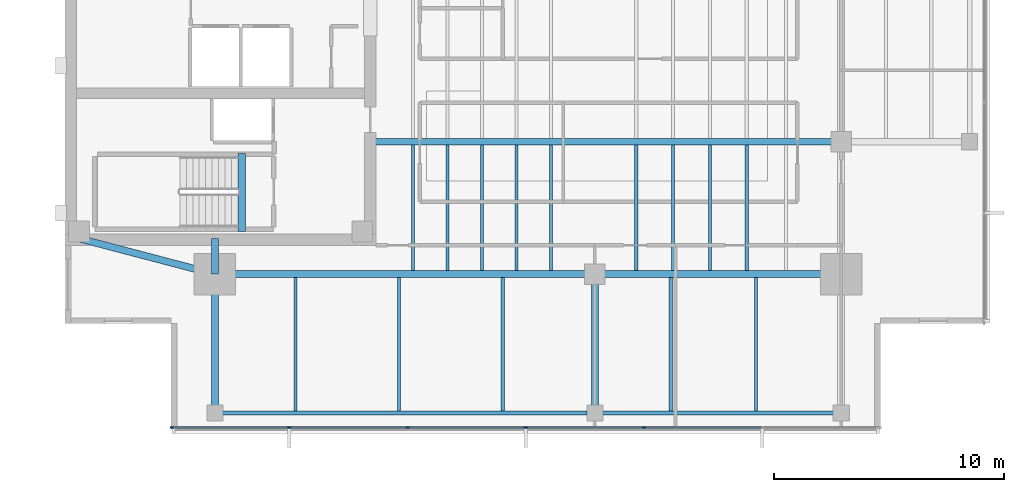
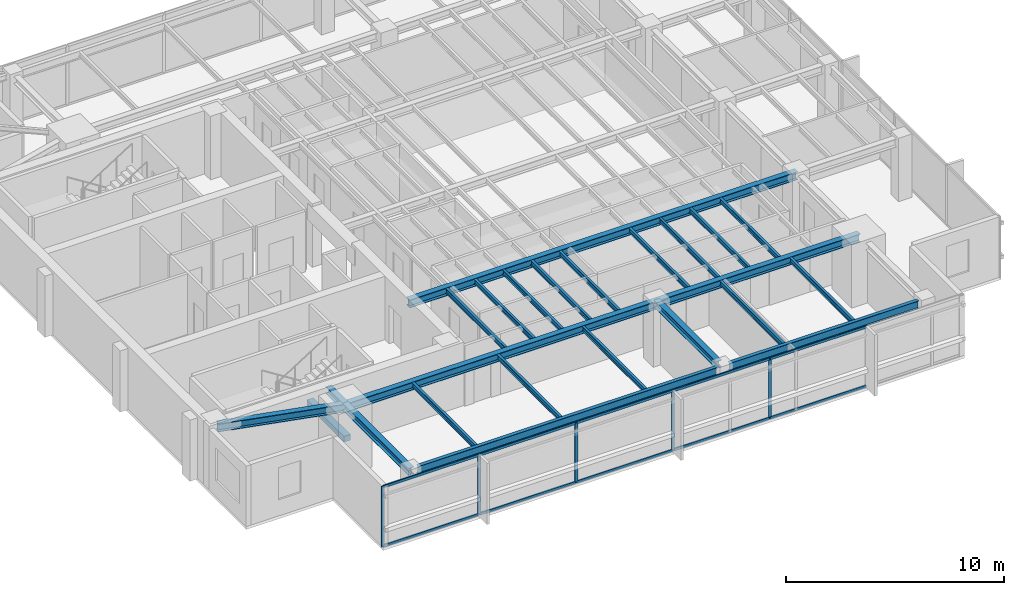
# One storey, part 2 of 14: 24 beams, 15 members, 1 element without a shape of its own.
"""IFC4 building model written with IfcOpenShell, lengths in metres."""

from ifc_helpers import new_model, si_unit, direction, frame, origin, origin_2d, place, context, subcontext, project, spatial, rectangle, i_section, extrude, material, layer, layer_set, material_profile, profile_set, type_object, element, aggregate, save


model = new_model("IFC4")

# Units and contexts
model_context = context("Model", 3, precision=1e-05, world=origin(), true_north=direction((0.0, 1.0)))
body_context = subcontext(model_context, "Body", "Model", "MODEL_VIEW")
ifc_project = project(units=[si_unit("LENGTHUNIT", "METRE"), si_unit("AREAUNIT", "SQUARE_METRE"), si_unit("VOLUMEUNIT", "CUBIC_METRE"), si_unit("PLANEANGLEUNIT", "RADIAN"), si_unit("MASSUNIT", "GRAM", prefix="KILO")], contexts=[model_context])

# Site, building, storey
site_placement = place(None, origin())
site = spatial("IfcSite", under=ifc_project, at=site_placement, CompositionType="ELEMENT")
building_placement = place(site_placement, origin())
building = spatial("IfcBuilding", under=site, at=building_placement, Name="Kinhvarn Gate Tower", CompositionType="ELEMENT")
storey_placement = place(building_placement, frame((0.0, 0.0, 277.64990234375)))
storey = spatial("IfcBuildingStorey", under=building, at=storey_placement, Name="L74", CompositionType="ELEMENT", Elevation=277.64990234375)

# Beam
ifc_material_1 = material(Name="Concrete C50/60", Category="concrete")
ifc_material_profile_1 = material_profile(ifc_material_1, rectangle(XDim=0.340087890625, YDim=0.320068359375, at=origin_2d()), Name="RC 340x320")
ifc_profile_set_1 = profile_set([ifc_material_profile_1], Name="Concrete C50/60")
beam_type_1 = type_object("IfcBeamType", Name="BM-LND-500", PredefinedType="BEAM", material=ifc_profile_set_1)
beam_1_placement = place(storey_placement, frame((12.1650390625, 14.60009765625, -0.159912109375), z_axis=(0.0, 1.0, 0.0), x_axis=(-1.0, 0.0, 0.0)))
element("IfcBeam", 1, at=beam_1_placement, inside=storey, type_object=beam_type_1, Name="Stair ST1 Landing Nosing Beam (L74)", PredefinedType="BEAM", context=body_context, shape_type="SweptSolid", body=[
    extrude(rectangle(XDim=0.340087890625, YDim=0.320068359375, at=origin_2d()), origin(), (0.0, 0.0, 1.0), 3.39990234375),
])

# Curtain wall, members
ifc_material_2 = material(Name="Anodised aluminium AW-6063", Category="aluminium")
ifc_layer = layer(ifc_material_2, 0.179931640625)
ifc_layer_set = layer_set([ifc_layer], Name="Anodised aluminium AW-6063")
curtain_wall_type = type_object("IfcCurtainWallType", Name="CW-SYS-3", PredefinedType="NOTDEFINED", material=ifc_layer_set)
curtain_wall_placement = place(storey_placement, origin())
curtain_wall = element("IfcCurtainWall", 2, at=curtain_wall_placement, inside=storey, type_object=curtain_wall_type, Name="Curtain Wall CW3 (L74)", PredefinedType="NOTDEFINED")
ifc_material_profile_2 = material_profile(ifc_material_2, rectangle(XDim=0.06494140625, YDim=0.159912109375, at=origin_2d()), Name="ALU 65x160")
ifc_profile_set_2 = profile_set([ifc_material_profile_2], Name="Anodised aluminium AW-6063")
member_type_1 = type_object("IfcMemberType", Name="CW-MUL-160", PredefinedType="MULLION", material=ifc_profile_set_2)
member_1_placement = place(storey_placement, frame((9.132568359375, 6.090087890625, 0.0), z_axis=(0.0, 0.0, 1.0), x_axis=(0.0, 1.0, 0.0)))
member_1 = element("IfcMember", 3, at=member_1_placement, type_object=member_type_1, Name="CW3 mullion 1", PredefinedType="MULLION", context=body_context, shape_type="SweptSolid", body=[
    extrude(rectangle(XDim=0.06494140625, YDim=0.159912109375, at=origin_2d()), origin(), (0.0, 0.0, 1.0), 3.39013671875),
])
member_2_placement = place(storey_placement, frame((14.2333984375, 6.090087890625, 0.0), z_axis=(0.0, 0.0, 1.0), x_axis=(0.0, 1.0, 0.0)))
member_2 = element("IfcMember", 4, at=member_2_placement, type_object=member_type_1, Name="CW3 mullion 2", PredefinedType="MULLION", context=body_context, shape_type="SweptSolid", body=[
    extrude(rectangle(XDim=0.06494140625, YDim=0.159912109375, at=origin_2d()), origin(), (0.0, 0.0, 1.0), 3.39013671875),
])
member_3_placement = place(storey_placement, frame((19.36669921875, 6.090087890625, 0.0), z_axis=(0.0, 0.0, 1.0), x_axis=(0.0, 1.0, 0.0)))
member_3 = element("IfcMember", 5, at=member_3_placement, type_object=member_type_1, Name="CW3 mullion 3", PredefinedType="MULLION", context=body_context, shape_type="SweptSolid", body=[
    extrude(rectangle(XDim=0.06494140625, YDim=0.159912109375, at=origin_2d()), origin(), (0.0, 0.0, 1.0), 3.39013671875),
])
member_4_placement = place(storey_placement, frame((24.5, 6.090087890625, 0.0), z_axis=(0.0, 0.0, 1.0), x_axis=(0.0, 1.0, 0.0)))
member_4 = element("IfcMember", 6, at=member_4_placement, type_object=member_type_1, Name="CW3 mullion 4", PredefinedType="MULLION", context=body_context, shape_type="SweptSolid", body=[
    extrude(rectangle(XDim=0.06494140625, YDim=0.159912109375, at=origin_2d()), origin(), (0.0, 0.0, 1.0), 3.39013671875),
])
member_5_placement = place(storey_placement, frame((29.63330078125, 6.090087890625, 0.0), z_axis=(0.0, 0.0, 1.0), x_axis=(0.0, 1.0, 0.0)))
member_5 = element("IfcMember", 7, at=member_5_placement, type_object=member_type_1, Name="CW3 mullion 5", PredefinedType="MULLION", context=body_context, shape_type="SweptSolid", body=[
    extrude(rectangle(XDim=0.06494140625, YDim=0.159912109375, at=origin_2d()), origin(), (0.0, 0.0, 1.0), 3.39013671875),
])
ifc_material_profile_3 = material_profile(ifc_material_2, rectangle(XDim=0.070068359375, YDim=0.139892578125, at=origin_2d()), Name="ALU 70x140")
ifc_profile_set_3 = profile_set([ifc_material_profile_3], Name="Anodised aluminium AW-6063")
member_type_2 = type_object("IfcMemberType", Name="CW-TRN-140", PredefinedType="USERDEFINED", material=ifc_profile_set_3)
member_6_placement = place(storey_placement, frame((9.1650390625, 6.090087890625, 0.03515625), z_axis=(1.0, 0.0, 0.0), x_axis=(0.0, 1.0, 0.0)))
member_6 = element("IfcMember", 8, at=member_6_placement, type_object=member_type_2, Name="CW3 transom 1.1", ObjectType="TRANSOM", PredefinedType="USERDEFINED", context=body_context, shape_type="SweptSolid", body=[
    extrude(rectangle(XDim=0.070068359375, YDim=0.139892578125, at=origin_2d()), origin(), (0.0, 0.0, 1.0), 5.035888671875),
])
member_7_placement = place(storey_placement, frame((9.1650390625, 6.090087890625, 3.35498046875), z_axis=(1.0, 0.0, 0.0), x_axis=(0.0, 1.0, 0.0)))
member_7 = element("IfcMember", 9, at=member_7_placement, type_object=member_type_2, Name="CW3 transom 1.2", ObjectType="TRANSOM", PredefinedType="USERDEFINED", context=body_context, shape_type="SweptSolid", body=[
    extrude(rectangle(XDim=0.070068359375, YDim=0.139892578125, at=origin_2d()), origin(), (0.0, 0.0, 1.0), 5.035888671875),
])
member_8_placement = place(storey_placement, frame((14.265869140625, 6.090087890625, 0.03515625), z_axis=(1.0, 0.0, 0.0), x_axis=(0.0, 1.0, 0.0)))
member_8 = element("IfcMember", 10, at=member_8_placement, type_object=member_type_2, Name="CW3 transom 2.1", ObjectType="TRANSOM", PredefinedType="USERDEFINED", context=body_context, shape_type="SweptSolid", body=[
    extrude(rectangle(XDim=0.070068359375, YDim=0.139892578125, at=origin_2d()), origin(), (0.0, 0.0, 1.0), 5.068359375),
])
member_9_placement = place(storey_placement, frame((14.265869140625, 6.090087890625, 3.35498046875), z_axis=(1.0, 0.0, 0.0), x_axis=(0.0, 1.0, 0.0)))
member_9 = element("IfcMember", 11, at=member_9_placement, type_object=member_type_2, Name="CW3 transom 2.2", ObjectType="TRANSOM", PredefinedType="USERDEFINED", context=body_context, shape_type="SweptSolid", body=[
    extrude(rectangle(XDim=0.070068359375, YDim=0.139892578125, at=origin_2d()), origin(), (0.0, 0.0, 1.0), 5.068359375),
])
member_10_placement = place(storey_placement, frame((19.399169921875, 6.090087890625, 0.03515625), z_axis=(1.0, 0.0, 0.0), x_axis=(0.0, 1.0, 0.0)))
member_10 = element("IfcMember", 12, at=member_10_placement, type_object=member_type_2, Name="CW3 transom 3.1", ObjectType="TRANSOM", PredefinedType="USERDEFINED", context=body_context, shape_type="SweptSolid", body=[
    extrude(rectangle(XDim=0.070068359375, YDim=0.139892578125, at=origin_2d()), origin(), (0.0, 0.0, 1.0), 5.068359375),
])
member_11_placement = place(storey_placement, frame((19.399169921875, 6.090087890625, 3.35498046875), z_axis=(1.0, 0.0, 0.0), x_axis=(0.0, 1.0, 0.0)))
member_11 = element("IfcMember", 13, at=member_11_placement, type_object=member_type_2, Name="CW3 transom 3.2", ObjectType="TRANSOM", PredefinedType="USERDEFINED", context=body_context, shape_type="SweptSolid", body=[
    extrude(rectangle(XDim=0.070068359375, YDim=0.139892578125, at=origin_2d()), origin(), (0.0, 0.0, 1.0), 5.068359375),
])
member_12_placement = place(storey_placement, frame((24.532470703125, 6.090087890625, 0.03515625), z_axis=(1.0, 0.0, 0.0), x_axis=(0.0, 1.0, 0.0)))
member_12 = element("IfcMember", 14, at=member_12_placement, type_object=member_type_2, Name="CW3 transom 4.1", ObjectType="TRANSOM", PredefinedType="USERDEFINED", context=body_context, shape_type="SweptSolid", body=[
    extrude(rectangle(XDim=0.070068359375, YDim=0.139892578125, at=origin_2d()), origin(), (0.0, 0.0, 1.0), 5.068359375),
])
member_13_placement = place(storey_placement, frame((24.532470703125, 6.090087890625, 3.35498046875), z_axis=(1.0, 0.0, 0.0), x_axis=(0.0, 1.0, 0.0)))
member_13 = element("IfcMember", 15, at=member_13_placement, type_object=member_type_2, Name="CW3 transom 4.2", ObjectType="TRANSOM", PredefinedType="USERDEFINED", context=body_context, shape_type="SweptSolid", body=[
    extrude(rectangle(XDim=0.070068359375, YDim=0.139892578125, at=origin_2d()), origin(), (0.0, 0.0, 1.0), 5.068359375),
])
member_14_placement = place(storey_placement, frame((29.665771484375, 6.090087890625, 0.03515625), z_axis=(1.0, 0.0, 0.0), x_axis=(0.0, 1.0, 0.0)))
member_14 = element("IfcMember", 16, at=member_14_placement, type_object=member_type_2, Name="CW3 transom 5.1", ObjectType="TRANSOM", PredefinedType="USERDEFINED", context=body_context, shape_type="SweptSolid", body=[
    extrude(rectangle(XDim=0.070068359375, YDim=0.139892578125, at=origin_2d()), origin(), (0.0, 0.0, 1.0), 5.068359375),
])
member_15_placement = place(storey_placement, frame((29.665771484375, 6.090087890625, 3.35498046875), z_axis=(1.0, 0.0, 0.0), x_axis=(0.0, 1.0, 0.0)))
member_15 = element("IfcMember", 17, at=member_15_placement, type_object=member_type_2, Name="CW3 transom 5.2", ObjectType="TRANSOM", PredefinedType="USERDEFINED", context=body_context, shape_type="SweptSolid", body=[
    extrude(rectangle(XDim=0.070068359375, YDim=0.139892578125, at=origin_2d()), origin(), (0.0, 0.0, 1.0), 5.068359375),
])
aggregate(curtain_wall, [member_1, member_2, member_3, member_4, member_5, member_6, member_7, member_8, member_9, member_10, member_11, member_12, member_13, member_14, member_15])

# Beams
ifc_material_3 = material(Name="Steel S355", Category="steel")
ifc_material_profile_4 = material_profile(ifc_material_3, i_section(OverallWidth=0.300048828125, OverallDepth=0.39990234375, WebThickness=0.013427734375, FlangeThickness=0.02392578125, at=origin_2d()), Name="HEB 400")
ifc_profile_set_4 = profile_set([ifc_material_profile_4], Name="Steel S355")
beam_type_2 = type_object("IfcBeamType", Name="STL-HEB400", PredefinedType="BEAM", material=ifc_profile_set_4)
beam_2_placement = place(storey_placement, frame((11.0, 6.719970703125, 3.190185546875), z_axis=(0.0, 1.0, 0.0), x_axis=(-1.0, 0.0, 0.0)))
element("IfcBeam", 18, at=beam_2_placement, inside=storey, type_object=beam_type_2, Name="Floor Beam PG-12 (L74 MCW-S)", PredefinedType="BEAM", context=body_context, shape_type="SweptSolid", body=[
    extrude(i_section(OverallWidth=0.300048828125, OverallDepth=0.39990234375, WebThickness=0.013427734375, FlangeThickness=0.02392578125, at=origin_2d()), origin(), (0.0, 0.0, 1.0), 6.030029296875),
])
beam_3_placement = place(storey_placement, frame((11.0, 12.75, 3.190185546875), z_axis=(0.0, 1.0, 0.0), x_axis=(-1.0, 0.0, 0.0)))
element("IfcBeam", 19, at=beam_3_placement, inside=storey, type_object=beam_type_2, Name="Floor Beam PG-12 (L74 MCW-CS)", PredefinedType="BEAM", context=body_context, shape_type="SweptSolid", body=[
    extrude(i_section(OverallWidth=0.300048828125, OverallDepth=0.39990234375, WebThickness=0.013427734375, FlangeThickness=0.02392578125, at=origin_2d()), origin(), (0.0, 0.0, 1.0), 1.550048828125),
])
beam_4_placement = place(storey_placement, frame((27.5, 7.054931640625, 3.190185546875), z_axis=(0.0, 1.0, 0.0), x_axis=(-1.0, 0.0, 0.0)))
element("IfcBeam", 20, at=beam_4_placement, inside=storey, type_object=beam_type_2, Name="Floor Beam PG-12 (L74 SP27-S-TIE)", PredefinedType="BEAM", context=body_context, shape_type="SweptSolid", body=[
    extrude(i_section(OverallWidth=0.300048828125, OverallDepth=0.39990234375, WebThickness=0.013427734375, FlangeThickness=0.02392578125, at=origin_2d()), origin(), (0.0, 0.0, 1.0), 5.695068359375),
])
ifc_material_profile_5 = material_profile(ifc_material_3, i_section(OverallWidth=0.300048828125, OverallDepth=0.449951171875, WebThickness=0.013916015625, FlangeThickness=0.02587890625, at=origin_2d()), Name="HEB 450")
ifc_profile_set_5 = profile_set([ifc_material_profile_5], Name="Steel S355")
beam_type_3 = type_object("IfcBeamType", Name="STL-HEB450", PredefinedType="BEAM", material=ifc_profile_set_5)
beam_5_placement = place(storey_placement, frame((11.0, 12.75, 3.1650390625), z_axis=(1.0, 0.0, 0.0), x_axis=(0.0, 1.0, 0.0)))
element("IfcBeam", 21, at=beam_5_placement, inside=storey, type_object=beam_type_3, Name="Floor Beam PG-13 (L74 MG-S1)", PredefinedType="BEAM", context=body_context, shape_type="SweptSolid", body=[
    extrude(i_section(OverallWidth=0.300048828125, OverallDepth=0.449951171875, WebThickness=0.013916015625, FlangeThickness=0.02587890625, at=origin_2d()), origin(), (0.0, 0.0, 1.0), 16.5),
])
beam_6_placement = place(storey_placement, frame((27.5, 12.75, 3.1650390625), z_axis=(1.0, 0.0, 0.0), x_axis=(0.0, 1.0, 0.0)))
element("IfcBeam", 22, at=beam_6_placement, inside=storey, type_object=beam_type_3, Name="Floor Beam PG-13 (L74 MG-S2)", PredefinedType="BEAM", context=body_context, shape_type="SweptSolid", body=[
    extrude(i_section(OverallWidth=0.300048828125, OverallDepth=0.449951171875, WebThickness=0.013916015625, FlangeThickness=0.02587890625, at=origin_2d()), origin(), (0.0, 0.0, 1.0), 10.699951171875),
])
beam_7_placement = place(storey_placement, frame((5.10009765625, 14.300048828125, 3.1650390625), z_axis=(0.967177623957, -0.254101246979, 0.0), x_axis=(0.254101246979, 0.967177623957, 0.0)))
element("IfcBeam", 23, at=beam_7_placement, inside=storey, type_object=beam_type_3, Name="Floor Beam PG-13 (L74 MG-SW-DIAG)", PredefinedType="BEAM", context=body_context, shape_type="SweptSolid", body=[
    extrude(i_section(OverallWidth=0.300048828125, OverallDepth=0.449951171875, WebThickness=0.013916015625, FlangeThickness=0.02587890625, at=origin_2d()), origin(), (0.0, 0.0, 1.0), 6.10009765625),
])
beam_8_placement = place(storey_placement, frame((17.64990234375, 18.5, 3.1650390625), z_axis=(1.0, 0.0, 0.0), x_axis=(0.0, 1.0, 0.0)))
element("IfcBeam", 24, at=beam_8_placement, inside=storey, type_object=beam_type_3, Name="Floor Beam PG-13 (L74 EW1-Y18)", PredefinedType="BEAM", context=body_context, shape_type="SweptSolid", body=[
    extrude(i_section(OverallWidth=0.300048828125, OverallDepth=0.449951171875, WebThickness=0.013916015625, FlangeThickness=0.02587890625, at=origin_2d()), origin(), (0.0, 0.0, 1.0), 20.550048828125),
])
ifc_material_profile_6 = material_profile(ifc_material_3, i_section(OverallWidth=0.135009765625, OverallDepth=0.27001953125, WebThickness=0.006591796875, FlangeThickness=0.01025390625, at=origin_2d()), Name="IPE 270")
ifc_profile_set_6 = profile_set([ifc_material_profile_6], Name="Steel S355")
beam_type_4 = type_object("IfcBeamType", Name="STL-IPE270", PredefinedType="JOIST", material=ifc_profile_set_6)
for number, where, z_axis, x_axis, name in (
    (25, (19.60009765625, 12.89990234375, 3.255126953125), (0.0, 1.0, 0.0), (-1.0, 0.0, 0.0), "Floor Joist SB-01 (L74 JC-X196-0)"),
    (26, (21.10009765625, 12.89990234375, 3.255126953125), (0.0, 1.0, 0.0), (-1.0, 0.0, 0.0), "Floor Joist SB-01 (L74 JC-X211-0)"),
    (27, (22.60009765625, 12.89990234375, 3.255126953125), (0.0, 1.0, 0.0), (-1.0, 0.0, 0.0), "Floor Joist SB-01 (L74 JC-X226-0)"),
    (28, (24.10009765625, 12.89990234375, 3.255126953125), (0.0, 1.0, 0.0), (-1.0, 0.0, 0.0), "Floor Joist SB-01 (L74 JC-X241-0)"),
    (29, (25.60009765625, 12.89990234375, 3.255126953125), (0.0, 1.0, 0.0), (-1.0, 0.0, 0.0), "Floor Joist SB-01 (L74 JC-X256-0)"),
    (30, (29.300048828125, 12.89990234375, 3.255126953125), (0.0, 1.0, 0.0), (-1.0, 0.0, 0.0), "Floor Joist SB-01 (L74 JC-X293-0)"),
    (31, (30.89990234375, 12.89990234375, 3.255126953125), (0.0, 1.0, 0.0), (-1.0, 0.0, 0.0), "Floor Joist SB-01 (L74 JC-X309-0)"),
    (32, (32.5, 12.89990234375, 3.255126953125), (0.0, 1.0, 0.0), (-1.0, 0.0, 0.0), "Floor Joist SB-01 (L74 JC-X325-0)"),
    (33, (34.10009765625, 12.89990234375, 3.255126953125), (0.0, 1.0, 0.0), (-1.0, 0.0, 0.0), "Floor Joist SB-01 (L74 JC-X341-0)"),
):
    element("IfcBeam", number, at=place(storey_placement, frame(where, z_axis=z_axis, x_axis=x_axis)), inside=storey, type_object=beam_type_4, Name=name, PredefinedType="JOIST", context=body_context, shape_type="SweptSolid", body=[
        extrude(i_section(OverallWidth=0.135009765625, OverallDepth=0.27001953125, WebThickness=0.006591796875, FlangeThickness=0.01025390625, at=origin_2d()), origin(), (0.0, 0.0, 1.0), 5.4501953125),
    ])
for number, where, z_axis, x_axis, name in (
    (34, (14.5, 6.81494140625, 3.255126953125), (0.0, 1.0, 0.0), (-1.0, 0.0, 0.0), "Floor Joist SB-01 (L74 JS-X145)"),
    (35, (19.0, 6.81494140625, 3.255126953125), (0.0, 1.0, 0.0), (-1.0, 0.0, 0.0), "Floor Joist SB-01 (L74 JS-X190)"),
    (36, (23.5, 6.81494140625, 3.255126953125), (0.0, 1.0, 0.0), (-1.0, 0.0, 0.0), "Floor Joist SB-01 (L74 JS-X235)"),
    (37, (30.800048828125, 6.81494140625, 3.255126953125), (0.0, 1.0, 0.0), (-1.0, 0.0, 0.0), "Floor Joist SB-01 (L74 JS-X308)"),
    (38, (34.5, 6.81494140625, 3.255126953125), (0.0, 1.0, 0.0), (-1.0, 0.0, 0.0), "Floor Joist SB-01 (L74 JS-X345)"),
):
    element("IfcBeam", number, at=place(storey_placement, frame(where, z_axis=z_axis, x_axis=x_axis)), inside=storey, type_object=beam_type_4, Name=name, PredefinedType="JOIST", context=body_context, shape_type="SweptSolid", body=[
        extrude(i_section(OverallWidth=0.135009765625, OverallDepth=0.27001953125, WebThickness=0.006591796875, FlangeThickness=0.01025390625, at=origin_2d()), origin(), (0.0, 0.0, 1.0), 5.78515625),
    ])
ifc_material_profile_7 = material_profile(ifc_material_3, i_section(OverallWidth=0.18994140625, OverallDepth=0.449951171875, WebThickness=0.009521484375, FlangeThickness=0.0146484375, at=origin_2d()), Name="IPE 450")
ifc_profile_set_7 = profile_set([ifc_material_profile_7], Name="Steel S355")
beam_type_5 = type_object("IfcBeamType", Name="STL-IPE450", PredefinedType="JOIST", material=ifc_profile_set_7)
beam_9_placement = place(storey_placement, frame((11.3349609375, 6.719970703125, 3.1650390625), z_axis=(1.0, 0.0, 0.0), x_axis=(0.0, 1.0, 0.0)))
element("IfcBeam", 39, at=beam_9_placement, inside=storey, type_object=beam_type_5, Name="Floor Joist SB-06 (L74 SP-S1)", PredefinedType="JOIST", context=body_context, shape_type="SweptSolid", body=[
    extrude(i_section(OverallWidth=0.18994140625, OverallDepth=0.449951171875, WebThickness=0.009521484375, FlangeThickness=0.0146484375, at=origin_2d()), origin(), (0.0, 0.0, 1.0), 15.830078125),
])
beam_10_placement = place(storey_placement, frame((27.8349609375, 6.719970703125, 3.1650390625), z_axis=(1.0, 0.0, 0.0), x_axis=(0.0, 1.0, 0.0)))
element("IfcBeam", 40, at=beam_10_placement, inside=storey, type_object=beam_type_5, Name="Floor Joist SB-06 (L74 SP-S2)", PredefinedType="JOIST", context=body_context, shape_type="SweptSolid", body=[
    extrude(i_section(OverallWidth=0.18994140625, OverallDepth=0.449951171875, WebThickness=0.009521484375, FlangeThickness=0.0146484375, at=origin_2d()), origin(), (0.0, 0.0, 1.0), 10.030029296875),
])

save(model, "model.ifc")
